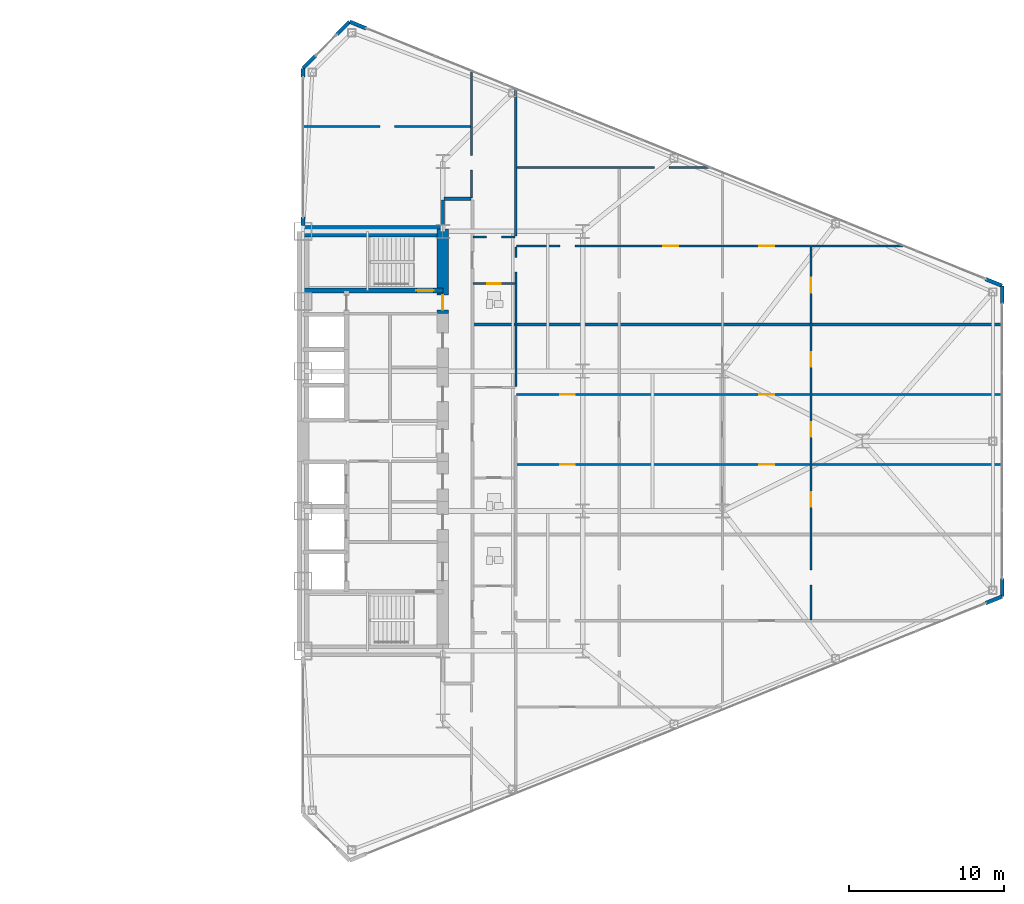
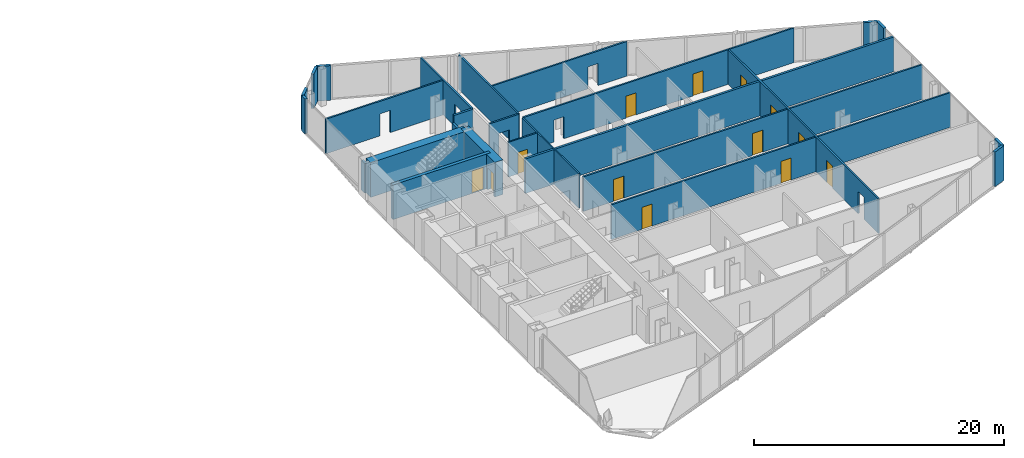
# One storey, part 22 of 25: 26 walls, 13 doors, 20 openings.
"""IFC4 building model written with IfcOpenShell, lengths in metres."""

from ifc_helpers import new_model, si_unit, direction, frame, frame_2d, origin, place, context, subcontext, project, spatial, rectangle, extrude, source, transform, mapped, material, layer, layer_set, type_object, type_shapes, element, fill, save


model = new_model("IFC4")

# Units and contexts
model_context = context("Model", 3, precision=1e-05, world=origin(), true_north=direction((0.0, 1.0)))
body_context = subcontext(model_context, "Body", "Model", "MODEL_VIEW")
ifc_project = project(units=[si_unit("LENGTHUNIT", "METRE"), si_unit("AREAUNIT", "SQUARE_METRE"), si_unit("VOLUMEUNIT", "CUBIC_METRE"), si_unit("PLANEANGLEUNIT", "RADIAN"), si_unit("MASSUNIT", "GRAM", prefix="KILO")], contexts=[model_context])

# Site, building, storey
site_placement = place(None, origin())
site = spatial("IfcSite", under=ifc_project, at=site_placement, CompositionType="ELEMENT")
building_placement = place(site_placement, origin())
building = spatial("IfcBuilding", under=site, at=building_placement, Name="Seokmaru Belvedere", CompositionType="ELEMENT")
storey_placement = place(building_placement, frame((0.0, 0.0, 26.10009765625)))
storey = spatial("IfcBuildingStorey", under=building, at=storey_placement, Name="L06", CompositionType="ELEMENT", Elevation=26.10009765625)

# Wall, openings, doors
ifc_material_1 = material(Name="Fire-Rated Gypsum Shaftwall")
ifc_layer_1 = layer(ifc_material_1, 0.14990234375)
ifc_layer_set_1 = layer_set([ifc_layer_1], Name="Fire-Rated Gypsum Shaftwall")
wall_type_1 = type_object("IfcWallType", Name="Apartment Fire-Acoustic Room Partition 150", PredefinedType="PARTITIONING", material=ifc_layer_set_1)
wall_1_placement = place(storey_placement, frame((41.25, -1.5, 0.0), z_axis=(0.0, 0.0, 1.0), x_axis=(1.0, 0.0, 0.0)))
wall_1 = element("IfcWall", 1, at=wall_1_placement, inside=storey, type_object=wall_type_1, Name="L06 Interior Partition 019", PredefinedType="PARTITIONING", context=body_context, shape_type="SweptSolid", body=[
    extrude(rectangle(XDim=31.284912109375, YDim=0.14990234375, at=frame_2d((15.642578125, 0.0))), origin(), (0.0, 0.0, 1.0), 3.3798828125),
])
opening_1_placement = place(wall_1_placement, frame((2.800048828125, 0.0, 0.0)))
opening_1 = element("IfcOpeningElement", 2, at=opening_1_placement, cuts=wall_1, Name="Opening D05", PredefinedType="OPENING", context=body_context, shape_type="SweptSolid", body=[
    extrude(rectangle(XDim=0.949951171875, YDim=2.14990234375, at=frame_2d((0.47509765625, 1.074951171875))), frame((0.0, 0.0849609375, 0.0), z_axis=(0.0, -1.0, 0.0), x_axis=(1.0, 0.0, 0.0)), (0.0, 0.0, 1.0), 0.169921875),
])
opening_2_placement = place(wall_1_placement, frame((15.625, 0.0, 0.0)))
opening_2 = element("IfcOpeningElement", 3, at=opening_2_placement, cuts=wall_1, Name="Opening D05", PredefinedType="OPENING", context=body_context, shape_type="SweptSolid", body=[
    extrude(rectangle(XDim=0.949951171875, YDim=2.14990234375, at=frame_2d((0.47509765625, 1.074951171875))), frame((0.0, 0.0849609375, 0.0), z_axis=(0.0, -1.0, 0.0), x_axis=(1.0, 0.0, 0.0)), (0.0, 0.0, 1.0), 0.169921875),
])
ifc_material_2 = material(Name="Engineered White Oak Timber", Category="wood")
door_type_1 = type_object("IfcDoorType", Name="Apartment Interior Fire-Rated Oak Door 950x2150", OperationType="NOTDEFINED", PredefinedType="DOOR", material=ifc_material_2)
shared_shape_1 = source(origin(), body_context, "Body", "SweptSolid", [
    extrude(rectangle(XDim=0.949951171875, YDim=2.14990234375, at=frame_2d((0.47509765625, 1.074951171875))), frame((0.0, 0.02490234375, 0.0), z_axis=(0.0, -1.0, 0.0), x_axis=(1.0, 0.0, 0.0)), (0.0, 0.0, 1.0), 0.050048828125),
])
type_shapes(door_type_1, [shared_shape_1])
door_1_placement = place(opening_1_placement, origin())
door_1 = element("IfcDoor", 4, at=door_1_placement, inside=storey, type_object=door_type_1, Name="L06 Interior Door 055", OperationType="SINGLE_SWING_RIGHT", OverallHeight=2.14990234375, OverallWidth=0.949951171875, PredefinedType="DOOR", context=body_context, shape_type="MappedRepresentation", body=[
    mapped(shared_shape_1, transform((0.0, 0.0, 0.0), scale=1.0)),
])
fill(opening_1, door_1)
door_2_placement = place(opening_2_placement, origin())
door_2 = element("IfcDoor", 5, at=door_2_placement, inside=storey, type_object=door_type_1, Name="L06 Interior Door 059", OperationType="SINGLE_SWING_RIGHT", OverallHeight=2.14990234375, OverallWidth=0.949951171875, PredefinedType="DOOR", context=body_context, shape_type="MappedRepresentation", body=[
    mapped(shared_shape_1, transform((0.0, 0.0, 0.0), scale=1.0)),
])
fill(opening_2, door_2)

wall_2_placement = place(storey_placement, frame((41.25, 3.0, 0.0), z_axis=(0.0, 0.0, 1.0), x_axis=(1.0, 0.0, 0.0)))
wall_2 = element("IfcWall", 6, at=wall_2_placement, inside=storey, type_object=wall_type_1, Name="L06 Interior Partition 021", PredefinedType="PARTITIONING", context=body_context, shape_type="SweptSolid", body=[
    extrude(rectangle(XDim=31.284912109375, YDim=0.14990234375, at=frame_2d((15.642578125, 0.0))), origin(), (0.0, 0.0, 1.0), 3.3798828125),
])
opening_3_placement = place(wall_2_placement, frame((2.800048828125, 0.0, 0.0)))
opening_3 = element("IfcOpeningElement", 7, at=opening_3_placement, cuts=wall_2, Name="Opening D05", PredefinedType="OPENING", context=body_context, shape_type="SweptSolid", body=[
    extrude(rectangle(XDim=0.949951171875, YDim=2.14990234375, at=frame_2d((0.47509765625, 1.074951171875))), frame((0.0, 0.0849609375, 0.0), z_axis=(0.0, -1.0, 0.0), x_axis=(1.0, 0.0, 0.0)), (0.0, 0.0, 1.0), 0.169921875),
])
opening_4_placement = place(wall_2_placement, frame((15.625, 0.0, 0.0)))
opening_4 = element("IfcOpeningElement", 8, at=opening_4_placement, cuts=wall_2, Name="Opening D05", PredefinedType="OPENING", context=body_context, shape_type="SweptSolid", body=[
    extrude(rectangle(XDim=0.949951171875, YDim=2.14990234375, at=frame_2d((0.47509765625, 1.074951171875))), frame((0.0, 0.0849609375, 0.0), z_axis=(0.0, -1.0, 0.0), x_axis=(1.0, 0.0, 0.0)), (0.0, 0.0, 1.0), 0.169921875),
])
door_3_placement = place(opening_3_placement, origin())
door_3 = element("IfcDoor", 9, at=door_3_placement, inside=storey, type_object=door_type_1, Name="L06 Interior Door 057", OperationType="SINGLE_SWING_LEFT", OverallHeight=2.14990234375, OverallWidth=0.949951171875, PredefinedType="DOOR", context=body_context, shape_type="MappedRepresentation", body=[
    mapped(shared_shape_1, transform((0.0, 0.0, 0.0), scale=1.0)),
])
fill(opening_3, door_3)
door_4_placement = place(opening_4_placement, origin())
door_4 = element("IfcDoor", 10, at=door_4_placement, inside=storey, type_object=door_type_1, Name="L06 Interior Door 062", OperationType="SINGLE_SWING_RIGHT", OverallHeight=2.14990234375, OverallWidth=0.949951171875, PredefinedType="DOOR", context=body_context, shape_type="MappedRepresentation", body=[
    mapped(shared_shape_1, transform((0.0, 0.0, 0.0), scale=1.0)),
])
fill(opening_4, door_4)

wall_3_placement = place(storey_placement, frame((41.25, 12.56005859375, 0.0), z_axis=(0.0, 0.0, 1.0), x_axis=(1.0, 0.0, 0.0)))
wall_3 = element("IfcWall", 11, at=wall_3_placement, inside=storey, type_object=wall_type_1, Name="L06 Interior Partition 029", PredefinedType="PARTITIONING", context=body_context, shape_type="SweptSolid", body=[
    extrude(rectangle(XDim=24.968994140625, YDim=0.14990234375, at=frame_2d((12.484375, 0.0))), origin(), (0.0, 0.0, 1.0), 3.3798828125),
])
opening_5_placement = place(wall_3_placement, frame((2.800048828125, 0.0, 0.0)))
element("IfcOpeningElement", 12, at=opening_5_placement, cuts=wall_3, Name="L06 Cased Opening 071", PredefinedType="OPENING", context=body_context, shape_type="SweptSolid", body=[
    extrude(rectangle(XDim=0.949951171875, YDim=2.14990234375, at=frame_2d((0.47509765625, 1.074951171875))), frame((0.0, 0.0849609375, 0.0), z_axis=(0.0, -1.0, 0.0), x_axis=(1.0, 0.0, 0.0)), (0.0, 0.0, 1.0), 0.169921875),
])
opening_6_placement = place(wall_3_placement, frame((15.625, 0.0, 0.0)))
opening_6 = element("IfcOpeningElement", 13, at=opening_6_placement, cuts=wall_3, Name="Opening D05", PredefinedType="OPENING", context=body_context, shape_type="SweptSolid", body=[
    extrude(rectangle(XDim=0.949951171875, YDim=2.14990234375, at=frame_2d((0.47509765625, 1.074951171875))), frame((0.0, 0.0849609375, 0.0), z_axis=(0.0, -1.0, 0.0), x_axis=(1.0, 0.0, 0.0)), (0.0, 0.0, 1.0), 0.169921875),
])
opening_7_placement = place(wall_3_placement, frame((9.449951171875, 0.0, 0.0)))
opening_7 = element("IfcOpeningElement", 14, at=opening_7_placement, cuts=wall_3, Name="Opening D05", PredefinedType="OPENING", context=body_context, shape_type="SweptSolid", body=[
    extrude(rectangle(XDim=0.949951171875, YDim=2.14990234375, at=frame_2d((0.47509765625, 1.074951171875))), frame((0.0, 0.0849609375, 0.0), z_axis=(0.0, -1.0, 0.0), x_axis=(1.0, 0.0, 0.0)), (0.0, 0.0, 1.0), 0.169921875),
])
door_5_placement = place(opening_6_placement, origin())
door_5 = element("IfcDoor", 15, at=door_5_placement, inside=storey, type_object=door_type_1, Name="L06 Interior Door 074", OperationType="SINGLE_SWING_LEFT", OverallHeight=2.14990234375, OverallWidth=0.949951171875, PredefinedType="DOOR", context=body_context, shape_type="MappedRepresentation", body=[
    mapped(shared_shape_1, transform((0.0, 0.0, 0.0), scale=1.0)),
])
fill(opening_6, door_5)
door_6_placement = place(opening_7_placement, origin())
door_6 = element("IfcDoor", 16, at=door_6_placement, inside=storey, type_object=door_type_1, Name="L06 Interior Door 075", OperationType="SINGLE_SWING_LEFT", OverallHeight=2.14990234375, OverallWidth=0.949951171875, PredefinedType="DOOR", context=body_context, shape_type="MappedRepresentation", body=[
    mapped(shared_shape_1, transform((0.0, 0.0, 0.0), scale=1.0)),
])
fill(opening_7, door_6)

# Wall, opening
wall_4_placement = place(storey_placement, frame((38.449951171875, 13.139892578125, 0.0), z_axis=(0.0, 0.0, 1.0), x_axis=(1.0, 0.0, 0.0)))
wall_4 = element("IfcWall", 17, at=wall_4_placement, inside=storey, type_object=wall_type_1, Name="L06 Interior Partition 030", PredefinedType="PARTITIONING", context=body_context, shape_type="SweptSolid", body=[
    extrude(rectangle(XDim=2.699951171875, YDim=0.14990234375, at=frame_2d((1.35009765625, 0.0))), origin(), (0.0, 0.0, 1.0), 3.3798828125),
])
opening_8_placement = place(wall_4_placement, frame((0.875, 0.0, 0.0)))
element("IfcOpeningElement", 18, at=opening_8_placement, cuts=wall_4, Name="L06 Cased Opening 068", PredefinedType="OPENING", context=body_context, shape_type="SweptSolid", body=[
    extrude(rectangle(XDim=0.949951171875, YDim=2.14990234375, at=frame_2d((0.47509765625, 1.074951171875))), frame((0.0, 0.0849609375, 0.0), z_axis=(0.0, -1.0, 0.0), x_axis=(1.0, 0.0, 0.0)), (0.0, 0.0, 1.0), 0.169921875),
])

wall_5_placement = place(storey_placement, frame((41.25, 17.610107421875, 0.0), z_axis=(0.0, 0.0, 1.0), x_axis=(1.0, 0.0, 0.0)))
wall_5 = element("IfcWall", 19, at=wall_5_placement, inside=storey, type_object=wall_type_1, Name="L06 Interior Partition 036", PredefinedType="PARTITIONING", context=body_context, shape_type="SweptSolid", body=[
    extrude(rectangle(XDim=12.47705078125, YDim=0.14990234375, at=frame_2d((6.238525390625, 0.0))), origin(), (0.0, 0.0, 1.0), 3.3798828125),
])
opening_9_placement = place(wall_5_placement, frame((8.859619140625, 0.0, 0.0)))
element("IfcOpeningElement", 20, at=opening_9_placement, cuts=wall_5, Name="L06 Cased Opening 076", PredefinedType="OPENING", context=body_context, shape_type="SweptSolid", body=[
    extrude(rectangle(XDim=0.949951171875, YDim=2.14990234375, at=frame_2d((0.47509765625, 1.074951171875))), frame((0.0, 0.0849609375, 0.0), z_axis=(0.0, -1.0, 0.0), x_axis=(1.0, 0.0, 0.0)), (0.0, 0.0, 1.0), 0.169921875),
])

wall_6_placement = place(storey_placement, frame((27.465087890625, 20.25, 0.0), z_axis=(0.0, 0.0, 1.0), x_axis=(1.0, 0.0, 0.0)))
wall_6 = element("IfcWall", 21, at=wall_6_placement, inside=storey, type_object=wall_type_1, Name="L06 Interior Partition 038", PredefinedType="PARTITIONING", context=body_context, shape_type="SweptSolid", body=[
    extrude(rectangle(XDim=10.8349609375, YDim=0.14990234375, at=frame_2d((5.41748046875, 0.0))), origin(), (0.0, 0.0, 1.0), 3.3798828125),
])
opening_10_placement = place(wall_6_placement, frame((4.985107421875, 0.0, 0.0)))
element("IfcOpeningElement", 22, at=opening_10_placement, cuts=wall_6, Name="L06 Cased Opening 078", PredefinedType="OPENING", context=body_context, shape_type="SweptSolid", body=[
    extrude(rectangle(XDim=0.949951171875, YDim=2.14990234375, at=frame_2d((0.47509765625, 1.074951171875))), frame((0.0, 0.0849609375, 0.0), z_axis=(0.0, -1.0, 0.0), x_axis=(1.0, 0.0, 0.0)), (0.0, 0.0, 1.0), 0.169921875),
])

wall_7_placement = place(storey_placement, frame((38.35009765625, 15.64990234375, 0.0), z_axis=(0.0, 0.0, 1.0), x_axis=(0.0, 1.0, 0.0)))
wall_7 = element("IfcWall", 23, at=wall_7_placement, inside=storey, type_object=wall_type_1, Name="L06 Interior Partition 053", PredefinedType="PARTITIONING", context=body_context, shape_type="SweptSolid", body=[
    extrude(rectangle(XDim=8.2080078125, YDim=0.14990234375, at=frame_2d((4.10400390625, 0.0))), origin(), (0.0, 0.0, 1.0), 3.3798828125),
])
opening_11_placement = place(wall_7_placement, frame((1.800048828125, 0.0, 0.0)))
element("IfcOpeningElement", 24, at=opening_11_placement, cuts=wall_7, Name="L06 Cased Opening 077", PredefinedType="OPENING", context=body_context, shape_type="SweptSolid", body=[
    extrude(rectangle(XDim=0.949951171875, YDim=2.14990234375, at=frame_2d((0.47509765625, 1.074951171875))), frame((0.0, 0.0849609375, 0.0), z_axis=(0.0, -1.0, 0.0), x_axis=(1.0, 0.0, 0.0)), (0.0, 0.0, 1.0), 0.169921875),
])

# Wall
wall_8_placement = place(storey_placement, frame((41.199951171875, 13.195068359375, 0.0), z_axis=(0.0, 0.0, 1.0), x_axis=(0.0, 1.0, 0.0)))
element("IfcWall", 25, at=wall_8_placement, inside=storey, type_object=wall_type_1, Name="L06 Interior Partition 058", PredefinedType="PARTITIONING", context=body_context, shape_type="SweptSolid", body=[
    extrude(rectangle(XDim=9.509033203125, YDim=0.14990234375, at=frame_2d((4.75439453125, 0.0))), origin(), (0.0, 0.0, 1.0), 3.3798828125),
])

# Wall, openings, doors
wall_9_placement = place(storey_placement, frame((60.199951171875, -11.506103515625, 0.0), z_axis=(0.0, 0.0, 1.0), x_axis=(0.0, 1.0, 0.0)))
wall_9 = element("IfcWall", 26, at=wall_9_placement, inside=storey, type_object=wall_type_1, Name="L06 Interior Partition 061", PredefinedType="PARTITIONING", context=body_context, shape_type="SweptSolid", body=[
    extrude(rectangle(XDim=24.01220703125, YDim=0.14990234375, at=frame_2d((12.006103515625, 0.0))), origin(), (0.0, 0.0, 1.0), 3.3798828125),
])
opening_12_placement = place(wall_9_placement, frame((2.2529296875, 0.0, 0.0)))
element("IfcOpeningElement", 27, at=opening_12_placement, cuts=wall_9, Name="L06 Cased Opening 046", PredefinedType="OPENING", context=body_context, shape_type="SweptSolid", body=[
    extrude(rectangle(XDim=0.949951171875, YDim=2.14990234375, at=frame_2d((0.47509765625, 1.074951171875))), frame((0.0, 0.0849609375, 0.0), z_axis=(0.0, -1.0, 0.0), x_axis=(1.0, 0.0, 0.0)), (0.0, 0.0, 1.0), 0.169921875),
])
opening_13_placement = place(wall_9_placement, frame((7.281005859375, 0.0, 0.0)))
opening_13 = element("IfcOpeningElement", 28, at=opening_13_placement, cuts=wall_9, Name="Opening D05", PredefinedType="OPENING", context=body_context, shape_type="SweptSolid", body=[
    extrude(rectangle(XDim=0.949951171875, YDim=2.14990234375, at=frame_2d((0.47509765625, 1.074951171875))), frame((0.0, 0.0849609375, 0.0), z_axis=(0.0, -1.0, 0.0), x_axis=(1.0, 0.0, 0.0)), (0.0, 0.0, 1.0), 0.169921875),
])
opening_14_placement = place(wall_9_placement, frame((11.781005859375, 0.0, 0.0)))
opening_14 = element("IfcOpeningElement", 29, at=opening_14_placement, cuts=wall_9, Name="Opening D05", PredefinedType="OPENING", context=body_context, shape_type="SweptSolid", body=[
    extrude(rectangle(XDim=0.949951171875, YDim=2.14990234375, at=frame_2d((0.47509765625, 1.074951171875))), frame((0.0, 0.0849609375, 0.0), z_axis=(0.0, -1.0, 0.0), x_axis=(1.0, 0.0, 0.0)), (0.0, 0.0, 1.0), 0.169921875),
])
opening_15_placement = place(wall_9_placement, frame((16.281005859375, 0.0, 0.0)))
opening_15 = element("IfcOpeningElement", 30, at=opening_15_placement, cuts=wall_9, Name="Opening D05", PredefinedType="OPENING", context=body_context, shape_type="SweptSolid", body=[
    extrude(rectangle(XDim=0.949951171875, YDim=2.14990234375, at=frame_2d((0.47509765625, 1.074951171875))), frame((0.0, 0.0849609375, 0.0), z_axis=(0.0, -1.0, 0.0), x_axis=(1.0, 0.0, 0.0)), (0.0, 0.0, 1.0), 0.169921875),
])
opening_16_placement = place(wall_9_placement, frame((21.05908203125, 0.0, 0.0)))
opening_16 = element("IfcOpeningElement", 31, at=opening_16_placement, cuts=wall_9, Name="Opening D05", PredefinedType="OPENING", context=body_context, shape_type="SweptSolid", body=[
    extrude(rectangle(XDim=0.949951171875, YDim=2.14990234375, at=frame_2d((0.47509765625, 1.074951171875))), frame((0.0, 0.0849609375, 0.0), z_axis=(0.0, -1.0, 0.0), x_axis=(1.0, 0.0, 0.0)), (0.0, 0.0, 1.0), 0.169921875),
])
door_7_placement = place(opening_13_placement, origin())
door_7 = element("IfcDoor", 32, at=door_7_placement, inside=storey, type_object=door_type_1, Name="L06 Interior Door 060", OperationType="SINGLE_SWING_LEFT", OverallHeight=2.14990234375, OverallWidth=0.949951171875, PredefinedType="DOOR", context=body_context, shape_type="MappedRepresentation", body=[
    mapped(shared_shape_1, transform((0.0, 0.0, 0.0), scale=1.0)),
])
fill(opening_13, door_7)
door_8_placement = place(opening_14_placement, origin())
door_8 = element("IfcDoor", 33, at=door_8_placement, inside=storey, type_object=door_type_1, Name="L06 Interior Door 061", OperationType="SINGLE_SWING_LEFT", OverallHeight=2.14990234375, OverallWidth=0.949951171875, PredefinedType="DOOR", context=body_context, shape_type="MappedRepresentation", body=[
    mapped(shared_shape_1, transform((0.0, 0.0, 0.0), scale=1.0)),
])
fill(opening_14, door_8)
door_9_placement = place(opening_15_placement, origin())
door_9 = element("IfcDoor", 34, at=door_9_placement, inside=storey, type_object=door_type_1, Name="L06 Interior Door 063", OperationType="SINGLE_SWING_LEFT", OverallHeight=2.14990234375, OverallWidth=0.949951171875, PredefinedType="DOOR", context=body_context, shape_type="MappedRepresentation", body=[
    mapped(shared_shape_1, transform((0.0, 0.0, 0.0), scale=1.0)),
])
fill(opening_15, door_9)
door_10_placement = place(opening_16_placement, origin())
door_10 = element("IfcDoor", 35, at=door_10_placement, inside=storey, type_object=door_type_1, Name="L06 Interior Door 073", OperationType="SINGLE_SWING_LEFT", OverallHeight=2.14990234375, OverallWidth=0.949951171875, PredefinedType="DOOR", context=body_context, shape_type="MappedRepresentation", body=[
    mapped(shared_shape_1, transform((0.0, 0.0, 0.0), scale=1.0)),
])
fill(opening_16, door_10)

# Walls
ifc_layer_2 = layer(ifc_material_1, 0.199951171875)
ifc_layer_set_2 = layer_set([ifc_layer_2], Name="Fire-Rated Gypsum Shaftwall")
wall_type_2 = type_object("IfcWallType", Name="Inter-Tenancy Fire Compartment Partition 200", PredefinedType="PARTITIONING", material=ifc_layer_set_2)
wall_10_placement = place(storey_placement, frame((38.47998046875, 7.5, 0.0), z_axis=(0.0, 0.0, 1.0), x_axis=(1.0, 0.0, 0.0)))
element("IfcWall", 36, at=wall_10_placement, inside=storey, type_object=wall_type_2, Name="L06 Interior Partition 025", PredefinedType="PARTITIONING", context=body_context, shape_type="SweptSolid", body=[
    extrude(rectangle(XDim=34.02490234375, YDim=0.199951171875, at=frame_2d((17.012451171875, 0.0))), origin(), (0.0, 0.0, 1.0), 3.3798828125),
])
wall_11_placement = place(storey_placement, frame((36.5849609375, 15.60009765625, 0.0), z_axis=(0.0, 0.0, 1.0), x_axis=(1.0, 0.0, 0.0)))
element("IfcWall", 37, at=wall_11_placement, inside=storey, type_object=wall_type_2, Name="L06 Interior Partition 033", PredefinedType="PARTITIONING", context=body_context, shape_type="SweptSolid", body=[
    extrude(rectangle(XDim=1.72998046875, YDim=0.199951171875, at=frame_2d((0.864990234375, 0.0))), origin(), (0.0, 0.0, 1.0), 3.3798828125),
])
wall_12_placement = place(storey_placement, frame((36.5, 13.8798828125, 0.0), z_axis=(0.0, 0.0, 1.0), x_axis=(0.0, 1.0, 0.0)))
element("IfcWall", 38, at=wall_12_placement, inside=storey, type_object=wall_type_2, Name="L06 Interior Partition 051", PredefinedType="PARTITIONING", context=body_context, shape_type="SweptSolid", body=[
    extrude(rectangle(XDim=1.635009765625, YDim=0.199951171875, at=frame_2d((0.8173828125, 0.0))), origin(), (0.0, 0.0, 1.0), 2.679931640625),
])

# Wall, opening, door
ifc_material_3 = material(Name="Concrete C50 (50 MPa)", Category="concrete")
ifc_layer_3 = layer(ifc_material_3, 0.300048828125)
ifc_layer_set_3 = layer_set([ifc_layer_3], Name="Concrete C50 (50 MPa)")
wall_type_3 = type_object("IfcWallType", Name="Internal Core Stair and Hoistway Wall 300", PredefinedType="SHEAR", material=ifc_layer_set_3)
wall_13_placement = place(storey_placement, frame((27.5, 9.699951171875, 0.0), z_axis=(0.0, 0.0, 1.0), x_axis=(1.0, 0.0, 0.0)))
wall_13 = element("IfcWall", 39, at=wall_13_placement, inside=storey, type_object=wall_type_3, Name="L06 East Stair ST-2 Enclosure Wall", PredefinedType="SHEAR", context=body_context, shape_type="SweptSolid", body=[
    extrude(rectangle(XDim=9.0, YDim=0.300048828125, at=frame_2d((4.5, 0.0))), origin(), (0.0, 0.0, 1.0), 3.3798828125),
])
opening_17_placement = place(wall_13_placement, frame((7.300048828125, 0.0, 0.0)))
opening_17 = element("IfcOpeningElement", 40, at=opening_17_placement, cuts=wall_13, Name="Opening D01", PredefinedType="OPENING", context=body_context, shape_type="SweptSolid", body=[
    extrude(rectangle(XDim=1.10009765625, YDim=2.199951171875, at=frame_2d((0.550048828125, 1.10009765625))), frame((0.0, 0.16015625, 0.0), z_axis=(0.0, -1.0, 0.0), x_axis=(1.0, 0.0, 0.0)), (0.0, 0.0, 1.0), 0.320068359375),
])
ifc_material_4 = material(Name="Fire-Rated Steel Leaf", Category="steel")
door_type_2 = type_object("IfcDoorType", Name="Special Escape Stair Smokeproof Fire Door 1100x2200", OperationType="NOTDEFINED", PredefinedType="DOOR", material=ifc_material_4)
shared_shape_2 = source(origin(), body_context, "Body", "SweptSolid", [
    extrude(rectangle(XDim=1.10009765625, YDim=2.199951171875, at=frame_2d((0.550048828125, 1.10009765625))), frame((0.0, 0.02490234375, 0.0), z_axis=(0.0, -1.0, 0.0), x_axis=(1.0, 0.0, 0.0)), (0.0, 0.0, 1.0), 0.050048828125),
])
type_shapes(door_type_2, [shared_shape_2])
door_11_placement = place(opening_17_placement, origin())
door_11 = element("IfcDoor", 41, at=door_11_placement, inside=storey, type_object=door_type_2, Name="L06 East Special Escape Stair ST-2 Door", OperationType="SINGLE_SWING_LEFT", OverallHeight=2.199951171875, OverallWidth=1.10009765625, PredefinedType="DOOR", context=body_context, shape_type="MappedRepresentation", body=[
    mapped(shared_shape_2, transform((0.0, 0.0, 0.0), scale=1.0)),
])
fill(opening_17, door_11)

# Wall
ifc_material_5 = material(Name="Concrete C60 (60 MPa)", Category="concrete")
ifc_layer_4 = layer(ifc_material_5, 0.75)
ifc_layer_set_4 = layer_set([ifc_layer_4], Name="Concrete C60 (60 MPa)")
wall_type_4 = type_object("IfcWallType", Name="Lower Tower Reinforced Concrete Core Wall 750", PredefinedType="SHEAR", material=ifc_layer_set_4)
wall_14_placement = place(storey_placement, frame((27.5, 13.5, 0.0), z_axis=(0.0, 0.0, 1.0), x_axis=(1.0, 0.0, 0.0)))
element("IfcWall", 42, at=wall_14_placement, inside=storey, type_object=wall_type_4, Name="L06 East North Core Wall", PredefinedType="SHEAR", context=body_context, shape_type="SweptSolid", body=[
    extrude(rectangle(XDim=9.0, YDim=0.75, at=frame_2d((4.5, 0.0))), origin(), (0.0, 0.0, 1.0), 3.3798828125),
])

# Wall, opening, door
wall_15_placement = place(storey_placement, frame((36.5, 8.199951171875, 0.0), z_axis=(0.0, 0.0, 1.0), x_axis=(0.0, 1.0, 0.0)))
wall_15 = element("IfcWall", 43, at=wall_15_placement, inside=storey, type_object=wall_type_4, Name="L06 East West Core Wall VST", PredefinedType="SHEAR", context=body_context, shape_type="SweptSolid", body=[
    extrude(rectangle(XDim=5.449951171875, YDim=0.75, at=frame_2d((2.72509765625, 0.0))), origin(), (0.0, 0.0, 1.0), 3.3798828125),
])
opening_18_placement = place(wall_15_placement, frame((0.2451171875, 0.0, 0.0)))
opening_18 = element("IfcOpeningElement", 44, at=opening_18_placement, cuts=wall_15, Name="Opening D04", PredefinedType="OPENING", context=body_context, shape_type="SweptSolid", body=[
    extrude(rectangle(XDim=0.949951171875, YDim=2.14990234375, at=frame_2d((0.47509765625, 1.074951171875))), frame((0.0, 0.385009765625, 0.0), z_axis=(0.0, -1.0, 0.0), x_axis=(1.0, 0.0, 0.0)), (0.0, 0.0, 1.0), 0.77001953125),
])
door_type_3 = type_object("IfcDoorType", Name="Core Service Room Fire Door 950x2150", OperationType="NOTDEFINED", PredefinedType="DOOR", material=ifc_material_4)
shared_shape_3 = source(origin(), body_context, "Body", "SweptSolid", [
    extrude(rectangle(XDim=0.949951171875, YDim=2.14990234375, at=frame_2d((0.47509765625, 1.074951171875))), frame((0.0, 0.02490234375, 0.0), z_axis=(0.0, -1.0, 0.0), x_axis=(1.0, 0.0, 0.0)), (0.0, 0.0, 1.0), 0.050048828125),
])
type_shapes(door_type_3, [shared_shape_3])
door_12_placement = place(opening_18_placement, origin())
door_12 = element("IfcDoor", 45, at=door_12_placement, inside=storey, type_object=door_type_3, Name="L06 East Smokeproof Vestibule Door", OperationType="SINGLE_SWING_LEFT", OverallHeight=2.14990234375, OverallWidth=0.949951171875, PredefinedType="DOOR", context=body_context, shape_type="MappedRepresentation", body=[
    mapped(shared_shape_3, transform((0.0, 0.0, 0.0), scale=1.0)),
])
fill(opening_18, door_12)

ifc_layer_5 = layer(ifc_material_1, 0.1298828125)
ifc_layer_set_5 = layer_set([ifc_layer_5], Name="Fire-Rated Gypsum Shaftwall")
wall_type_5 = type_object("IfcWallType", Name="Moisture-Resistant Fire-Rated Bathroom Partition 130", PredefinedType="PARTITIONING", material=ifc_layer_set_5)
wall_16_placement = place(storey_placement, frame((38.449951171875, 10.139892578125, 0.0), z_axis=(0.0, 0.0, 1.0), x_axis=(1.0, 0.0, 0.0)))
wall_16 = element("IfcWall", 46, at=wall_16_placement, inside=storey, type_object=wall_type_5, Name="L06 Interior Partition 027", PredefinedType="PARTITIONING", context=body_context, shape_type="SweptSolid", body=[
    extrude(rectangle(XDim=2.699951171875, YDim=0.1298828125, at=frame_2d((1.35009765625, 0.0))), origin(), (0.0, 0.0, 1.0), 3.3798828125),
])
opening_19_placement = place(wall_16_placement, frame((0.909912109375, 0.0, 0.0)))
opening_19 = element("IfcOpeningElement", 47, at=opening_19_placement, cuts=wall_16, Name="Opening D06", PredefinedType="OPENING", context=body_context, shape_type="SweptSolid", body=[
    extrude(rectangle(XDim=0.8798828125, YDim=2.10009765625, at=frame_2d((0.43994140625, 1.050048828125))), frame((0.0, 0.074951171875, 0.0), z_axis=(0.0, -1.0, 0.0), x_axis=(1.0, 0.0, 0.0)), (0.0, 0.0, 1.0), 0.14990234375),
])
door_type_4 = type_object("IfcDoorType", Name="Bathroom and Restroom Fire-Rated Door 880x2100", OperationType="NOTDEFINED", PredefinedType="DOOR", material=ifc_material_2)
shared_shape_4 = source(origin(), body_context, "Body", "SweptSolid", [
    extrude(rectangle(XDim=0.8798828125, YDim=2.10009765625, at=frame_2d((0.43994140625, 1.050048828125))), frame((0.0, 0.02490234375, 0.0), z_axis=(0.0, -1.0, 0.0), x_axis=(1.0, 0.0, 0.0)), (0.0, 0.0, 1.0), 0.050048828125),
])
type_shapes(door_type_4, [shared_shape_4])
door_13_placement = place(opening_19_placement, origin())
door_13 = element("IfcDoor", 48, at=door_13_placement, inside=storey, type_object=door_type_4, Name="L06 Interior Door 067", OperationType="SINGLE_SWING_RIGHT", OverallHeight=2.10009765625, OverallWidth=0.8798828125, PredefinedType="DOOR", context=body_context, shape_type="MappedRepresentation", body=[
    mapped(shared_shape_4, transform((0.0, 0.0, 0.0), scale=1.0)),
])
fill(opening_19, door_13)

# Wall, opening
wall_17_placement = place(storey_placement, frame((41.199951171875, 3.501953125, 0.0), z_axis=(0.0, 0.0, 1.0), x_axis=(0.0, 1.0, 0.0)))
wall_17 = element("IfcWall", 49, at=wall_17_placement, inside=storey, type_object=wall_type_5, Name="L06 Interior Partition 057", PredefinedType="PARTITIONING", context=body_context, shape_type="SweptSolid", body=[
    extrude(rectangle(XDim=9.004150390625, YDim=0.1298828125, at=frame_2d((4.501953125, 0.0))), origin(), (0.0, 0.0, 1.0), 3.3798828125),
])
opening_20_placement = place(wall_17_placement, frame((7.373779296875, 0.0, 0.0)))
element("IfcOpeningElement", 50, at=opening_20_placement, cuts=wall_17, Name="L06 Cased Opening 069", PredefinedType="OPENING", context=body_context, shape_type="SweptSolid", body=[
    extrude(rectangle(XDim=0.949951171875, YDim=2.14990234375, at=frame_2d((0.47509765625, 1.074951171875))), frame((0.0, 0.074951171875, 0.0), z_axis=(0.0, -1.0, 0.0), x_axis=(1.0, 0.0, 0.0)), (0.0, 0.0, 1.0), 0.14990234375),
])

# Walls
ifc_material_6 = material(Name="Anodised Bronze Aluminium", Category="aluminium")
ifc_layer_6 = layer(ifc_material_6, 0.239990234375)
ifc_layer_set_6 = layer_set([ifc_layer_6], Name="Anodised Bronze Aluminium")
wall_type_6 = type_object("IfcWallType", Name="Tower Corner Spandrel Closure Wall 240", PredefinedType="SOLIDWALL", material=ifc_layer_set_6)
for number, where, z_axis, x_axis, name in (
    (51, (71.43408203125, -10.431396484375, 0.0), (0.0, 0.0, 1.0), (0.927007103665, 0.375043770452, 0.0), "L06 E Corner Closure Pier 1B"),
    (52, (72.5, -9.989990234375, 0.0), (0.0, 0.0, 1.0), (0.0, 1.0, 0.0), "L06 E Corner Closure Pier 2A"),
    (53, (72.5, 8.85009765625, 0.0), (0.0, 0.0, 1.0), (0.0, 1.0, 0.0), "L06 E Corner Closure Pier 2B"),
    (54, (72.49072265625, 10.00390625, 0.0), (0.0, 0.0, 1.0), (-0.927007103665, 0.375043770452, 0.0), "L06 E Corner Closure Pier 3A"),
    (55, (31.56591796875, 26.568603515625, 0.0), (0.0, 0.0, 1.0), (-0.927007103665, 0.375043770452, 0.0), "L06 E Corner Closure Pier 3B"),
):
    element("IfcWall", number, at=place(storey_placement, frame(where, z_axis=z_axis, x_axis=x_axis)), inside=storey, type_object=wall_type_6, Name=name, PredefinedType="SOLIDWALL", context=body_context, shape_type="SweptSolid", body=[
        extrude(rectangle(XDim=1.139892578125, YDim=0.239990234375, at=frame_2d((0.56982421875, 0.0))), origin(), (0.0, 0.0, 1.0), 3.3798828125),
    ])
for number, where, z_axis, x_axis, name in (
    (56, (30.492919921875, 26.992919921875, 0.0), (0.0, 0.0, 1.0), (-0.707106781187, -0.707106781187, 0.0), "L06 E Corner Closure Pier 4A"),
    (57, (28.313232421875, 24.813232421875, 0.0), (0.0, 0.0, 1.0), (-0.707106781187, -0.707106781187, 0.0), "L06 E Corner Closure Pier 4B"),
):
    element("IfcWall", number, at=place(storey_placement, frame(where, z_axis=z_axis, x_axis=x_axis)), inside=storey, type_object=wall_type_6, Name=name, PredefinedType="SOLIDWALL", context=body_context, shape_type="SweptSolid", body=[
        extrude(rectangle(XDim=1.14013671875, YDim=0.239990234375, at=frame_2d((0.570068359375, 0.0))), origin(), (0.0, 0.0, 1.0), 3.3798828125),
    ])
wall_18_placement = place(storey_placement, frame((27.5, 13.8798828125, 0.0), z_axis=(0.0, 0.0, 1.0), x_axis=(0.0, 1.0, 0.0)))
element("IfcWall", 58, at=wall_18_placement, inside=storey, type_object=wall_type_6, Name="L06 E Spine Closure Pier 2A", PredefinedType="SOLIDWALL", context=body_context, shape_type="SweptSolid", body=[
    extrude(rectangle(XDim=0.550048828125, YDim=0.239990234375, at=frame_2d((0.27490234375, 0.0))), origin(), (0.0, 0.0, 1.0), 2.8798828125),
])
wall_19_placement = place(storey_placement, frame((27.5, 23.429931640625, 0.0), z_axis=(0.0, 0.0, 1.0), x_axis=(0.0, 1.0, 0.0)))
element("IfcWall", 59, at=wall_19_placement, inside=storey, type_object=wall_type_6, Name="L06 E Spine Closure Pier 2B", PredefinedType="SOLIDWALL", context=body_context, shape_type="SweptSolid", body=[
    extrude(rectangle(XDim=0.550048828125, YDim=0.239990234375, at=frame_2d((0.27490234375, 0.0))), origin(), (0.0, 0.0, 1.0), 3.3798828125),
])

save(model, "model.ifc")
